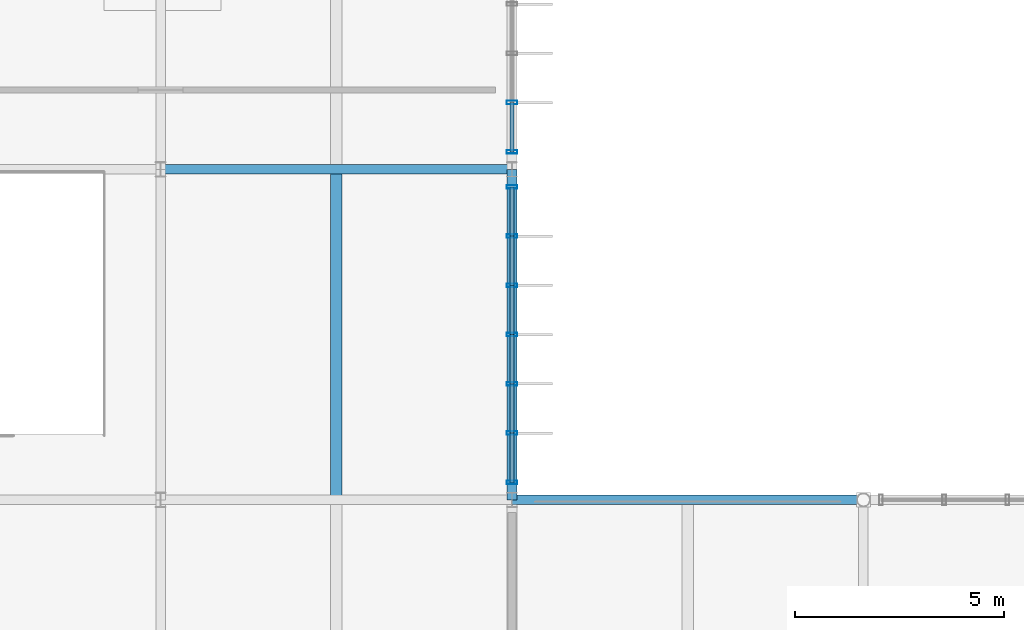
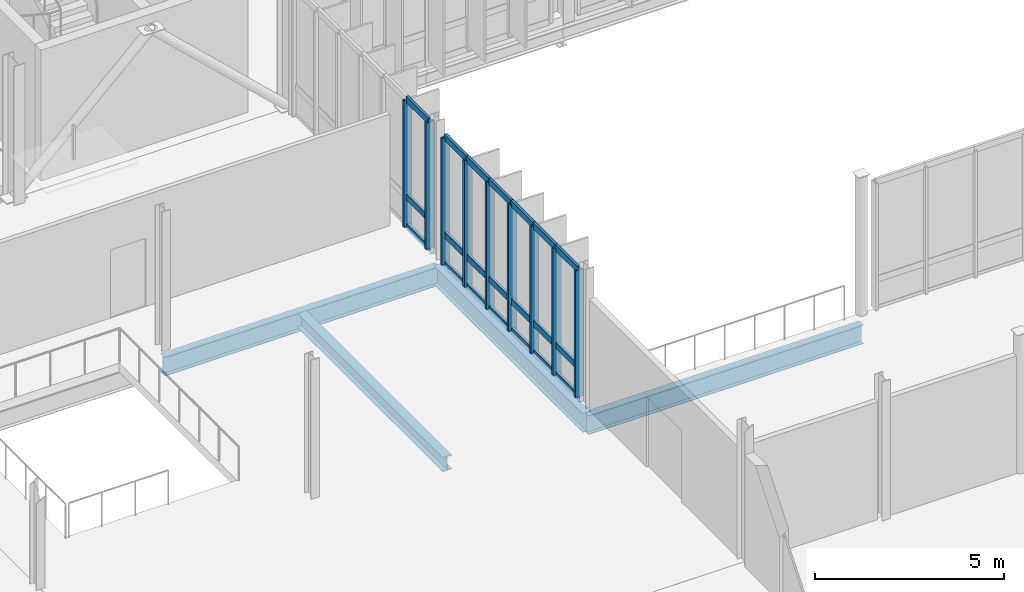
# One storey, part 35 of 139: 30 members, 4 beams, 2 elements without a shape of their own.
"""IFC4 building model written with IfcOpenShell, lengths in metres."""

from ifc_helpers import new_model, si_unit, derived_unit, direction, frame, origin, origin_2d, place, context, subcontext, project, spatial, hollow_rectangle, i_section, extrude, material, layer, layer_set, material_profile, profile_set, type_object, element, aggregate, save


model = new_model("IFC4")

# Units and contexts
model_context = context("Model", 3, precision=1e-05, world=origin(), true_north=direction((0.0, 1.0)))
body_context = subcontext(model_context, "Body", "Model", "MODEL_VIEW")
ifc_project = project(units=[si_unit("LENGTHUNIT", "METRE"), si_unit("AREAUNIT", "SQUARE_METRE"), si_unit("VOLUMEUNIT", "CUBIC_METRE"), si_unit("PLANEANGLEUNIT", "RADIAN"), si_unit("MASSUNIT", "GRAM", prefix="KILO"), derived_unit("THERMALTRANSMITTANCEUNIT", [(si_unit("MASSUNIT", "GRAM", prefix="KILO"), 1), (si_unit("TIMEUNIT", "SECOND"), -3), (si_unit("THERMODYNAMICTEMPERATUREUNIT", "KELVIN"), -1)])], contexts=[model_context])

# Site, building, storey
site_placement = place(None, origin())
site = spatial("IfcSite", under=ifc_project, at=site_placement, CompositionType="ELEMENT")
building_placement = place(site_placement, origin())
building = spatial("IfcBuilding", under=site, at=building_placement, Name="Makaiwela Harbour Ferry Terminal", CompositionType="ELEMENT")
storey_placement = place(building_placement, frame((0.0, 0.0, 5.10009765625)))
storey = spatial("IfcBuildingStorey", under=building, at=storey_placement, Name="L01", CompositionType="ELEMENT", Elevation=5.10009765625)

# Curtain wall, members
ifc_material_1 = material(Name="Marine anodised aluminium 6063-T6", Category="aluminium")
ifc_layer = layer(ifc_material_1, 0.199951171875)
ifc_layer_set = layer_set([ifc_layer], Name="Marine anodised aluminium 6063-T6")
curtain_wall_type = type_object("IfcCurtainWallType", Name="ENV-CW-13", PredefinedType="USERDEFINED", material=ifc_layer_set)
curtain_wall_1_placement = place(storey_placement, origin())
curtain_wall_1 = element("IfcCurtainWall", 1, at=curtain_wall_1_placement, inside=storey, type_object=curtain_wall_type, Name="Unitised Curtain Wall CWA-109", ObjectType="UNITIZED CURTAIN WALL", PredefinedType="USERDEFINED")
ifc_material_profile_1 = material_profile(ifc_material_1, hollow_rectangle(XDim=0.0849609375, YDim=0.25, WallThickness=0.0048828125, at=origin_2d()), Name="CWM-250X85")
ifc_profile_set_1 = profile_set([ifc_material_profile_1], Name="Marine anodised aluminium 6063-T6")
member_type_1 = type_object("IfcMemberType", Name="CW-MUL-250", PredefinedType="MULLION", material=ifc_profile_set_1)
member_1_placement = place(storey_placement, frame((71.39990234375, 41.080078125, 0.0), z_axis=(0.0, 0.0, 1.0), x_axis=(0.0, 1.0, 0.0)))
member_1 = element("IfcMember", 2, at=member_1_placement, type_object=member_type_1, Name="Curtain Wall Mullion CWA-109-1", PredefinedType="MULLION", context=body_context, shape_type="SweptSolid", body=[
    extrude(hollow_rectangle(XDim=0.0849609375, YDim=0.25, WallThickness=0.0048828125, at=origin_2d()), origin(), (0.0, 0.0, 1.0), 4.099853515625),
])
member_2_placement = place(storey_placement, frame((71.39990234375, 39.9033203125, 0.0), z_axis=(0.0, 0.0, 1.0), x_axis=(0.0, 1.0, 0.0)))
member_2 = element("IfcMember", 3, at=member_2_placement, type_object=member_type_1, Name="Curtain Wall Mullion CWA-109-2", PredefinedType="MULLION", context=body_context, shape_type="SweptSolid", body=[
    extrude(hollow_rectangle(XDim=0.0849609375, YDim=0.25, WallThickness=0.0048828125, at=origin_2d()), origin(), (0.0, 0.0, 1.0), 4.099853515625),
])
member_3_placement = place(storey_placement, frame((71.39990234375, 38.726806640625, 0.0), z_axis=(0.0, 0.0, 1.0), x_axis=(0.0, 1.0, 0.0)))
member_3 = element("IfcMember", 4, at=member_3_placement, type_object=member_type_1, Name="Curtain Wall Mullion CWA-109-3", PredefinedType="MULLION", context=body_context, shape_type="SweptSolid", body=[
    extrude(hollow_rectangle(XDim=0.0849609375, YDim=0.25, WallThickness=0.0048828125, at=origin_2d()), origin(), (0.0, 0.0, 1.0), 4.099853515625),
])
member_4_placement = place(storey_placement, frame((71.39990234375, 37.550048828125, 0.0), z_axis=(0.0, 0.0, 1.0), x_axis=(0.0, 1.0, 0.0)))
member_4 = element("IfcMember", 5, at=member_4_placement, type_object=member_type_1, Name="Curtain Wall Mullion CWA-109-4", PredefinedType="MULLION", context=body_context, shape_type="SweptSolid", body=[
    extrude(hollow_rectangle(XDim=0.0849609375, YDim=0.25, WallThickness=0.0048828125, at=origin_2d()), origin(), (0.0, 0.0, 1.0), 4.099853515625),
])
member_5_placement = place(storey_placement, frame((71.39990234375, 36.373291015625, 0.0), z_axis=(0.0, 0.0, 1.0), x_axis=(0.0, 1.0, 0.0)))
member_5 = element("IfcMember", 6, at=member_5_placement, type_object=member_type_1, Name="Curtain Wall Mullion CWA-109-5", PredefinedType="MULLION", context=body_context, shape_type="SweptSolid", body=[
    extrude(hollow_rectangle(XDim=0.0849609375, YDim=0.25, WallThickness=0.0048828125, at=origin_2d()), origin(), (0.0, 0.0, 1.0), 4.099853515625),
])
member_6_placement = place(storey_placement, frame((71.39990234375, 35.19677734375, 0.0), z_axis=(0.0, 0.0, 1.0), x_axis=(0.0, 1.0, 0.0)))
member_6 = element("IfcMember", 7, at=member_6_placement, type_object=member_type_1, Name="Curtain Wall Mullion CWA-109-6", PredefinedType="MULLION", context=body_context, shape_type="SweptSolid", body=[
    extrude(hollow_rectangle(XDim=0.0849609375, YDim=0.25, WallThickness=0.0048828125, at=origin_2d()), origin(), (0.0, 0.0, 1.0), 4.099853515625),
])
member_7_placement = place(storey_placement, frame((71.39990234375, 34.02001953125, 0.0), z_axis=(0.0, 0.0, 1.0), x_axis=(0.0, 1.0, 0.0)))
member_7 = element("IfcMember", 8, at=member_7_placement, type_object=member_type_1, Name="Curtain Wall Mullion CWA-109-7", PredefinedType="MULLION", context=body_context, shape_type="SweptSolid", body=[
    extrude(hollow_rectangle(XDim=0.0849609375, YDim=0.25, WallThickness=0.0048828125, at=origin_2d()), origin(), (0.0, 0.0, 1.0), 4.099853515625),
])

curtain_wall_2_placement = place(storey_placement, origin())
curtain_wall_2 = element("IfcCurtainWall", 9, at=curtain_wall_2_placement, inside=storey, type_object=curtain_wall_type, Name="Unitised Curtain Wall CWA-112", ObjectType="UNITIZED CURTAIN WALL", PredefinedType="USERDEFINED")
member_8_placement = place(storey_placement, frame((71.39990234375, 43.0966796875, 0.0), z_axis=(0.0, 0.0, 1.0), x_axis=(0.0, 1.0, 0.0)))
member_8 = element("IfcMember", 10, at=member_8_placement, type_object=member_type_1, Name="Curtain Wall Mullion CWA-112-6", PredefinedType="MULLION", context=body_context, shape_type="SweptSolid", body=[
    extrude(hollow_rectangle(XDim=0.0849609375, YDim=0.25, WallThickness=0.0048828125, at=origin_2d()), origin(), (0.0, 0.0, 1.0), 4.099853515625),
])
member_9_placement = place(storey_placement, frame((71.39990234375, 41.919921875, 0.0), z_axis=(0.0, 0.0, 1.0), x_axis=(0.0, 1.0, 0.0)))
member_9 = element("IfcMember", 11, at=member_9_placement, type_object=member_type_1, Name="Curtain Wall Mullion CWA-112-7", PredefinedType="MULLION", context=body_context, shape_type="SweptSolid", body=[
    extrude(hollow_rectangle(XDim=0.0849609375, YDim=0.25, WallThickness=0.0048828125, at=origin_2d()), origin(), (0.0, 0.0, 1.0), 4.099853515625),
])

# Member
ifc_material_profile_2 = material_profile(ifc_material_1, hollow_rectangle(XDim=0.0849609375, YDim=0.199951171875, WallThickness=0.0048828125, at=origin_2d()), Name="CWT-200X85")
ifc_profile_set_2 = profile_set([ifc_material_profile_2], Name="Marine anodised aluminium 6063-T6")
member_type_2 = type_object("IfcMemberType", Name="CW-TRN-200", PredefinedType="USERDEFINED", material=ifc_profile_set_2)
member_10_placement = place(storey_placement, frame((71.39990234375, 41.080078125, 0.0), z_axis=(0.0, -1.0, 0.0), x_axis=(1.0, 0.0, 0.0)))
member_10 = element("IfcMember", 12, at=member_10_placement, type_object=member_type_2, Name="Curtain Wall Transom CWA-109-1-1", ObjectType="TRANSOM", PredefinedType="USERDEFINED", context=body_context, shape_type="SweptSolid", body=[
    extrude(hollow_rectangle(XDim=0.0849609375, YDim=0.199951171875, WallThickness=0.0048828125, at=origin_2d()), origin(), (0.0, 0.0, 1.0), 1.1767578125),
])

member_11_placement = place(storey_placement, frame((71.39990234375, 41.080078125, 0.949951171875), z_axis=(0.0, -1.0, 0.0), x_axis=(1.0, 0.0, 0.0)))
member_11 = element("IfcMember", 13, at=member_11_placement, type_object=member_type_2, Name="Curtain Wall Transom CWA-109-1-2", ObjectType="TRANSOM", PredefinedType="USERDEFINED", context=body_context, shape_type="SweptSolid", body=[
    extrude(hollow_rectangle(XDim=0.0849609375, YDim=0.199951171875, WallThickness=0.0048828125, at=origin_2d()), origin(), (0.0, 0.0, 1.0), 1.1767578125),
])

member_12_placement = place(storey_placement, frame((71.39990234375, 41.080078125, 4.099853515625), z_axis=(0.0, -1.0, 0.0), x_axis=(1.0, 0.0, 0.0)))
member_12 = element("IfcMember", 14, at=member_12_placement, type_object=member_type_2, Name="Curtain Wall Transom CWA-109-1-3", ObjectType="TRANSOM", PredefinedType="USERDEFINED", context=body_context, shape_type="SweptSolid", body=[
    extrude(hollow_rectangle(XDim=0.0849609375, YDim=0.199951171875, WallThickness=0.0048828125, at=origin_2d()), origin(), (0.0, 0.0, 1.0), 1.1767578125),
])

member_13_placement = place(storey_placement, frame((71.39990234375, 39.9033203125, 0.0), z_axis=(0.0, -1.0, 0.0), x_axis=(1.0, 0.0, 0.0)))
member_13 = element("IfcMember", 15, at=member_13_placement, type_object=member_type_2, Name="Curtain Wall Transom CWA-109-2-1", ObjectType="TRANSOM", PredefinedType="USERDEFINED", context=body_context, shape_type="SweptSolid", body=[
    extrude(hollow_rectangle(XDim=0.0849609375, YDim=0.199951171875, WallThickness=0.0048828125, at=origin_2d()), origin(), (0.0, 0.0, 1.0), 1.176513671875),
])

member_14_placement = place(storey_placement, frame((71.39990234375, 39.9033203125, 0.949951171875), z_axis=(0.0, -1.0, 0.0), x_axis=(1.0, 0.0, 0.0)))
member_14 = element("IfcMember", 16, at=member_14_placement, type_object=member_type_2, Name="Curtain Wall Transom CWA-109-2-2", ObjectType="TRANSOM", PredefinedType="USERDEFINED", context=body_context, shape_type="SweptSolid", body=[
    extrude(hollow_rectangle(XDim=0.0849609375, YDim=0.199951171875, WallThickness=0.0048828125, at=origin_2d()), origin(), (0.0, 0.0, 1.0), 1.176513671875),
])

member_15_placement = place(storey_placement, frame((71.39990234375, 39.9033203125, 4.099853515625), z_axis=(0.0, -1.0, 0.0), x_axis=(1.0, 0.0, 0.0)))
member_15 = element("IfcMember", 17, at=member_15_placement, type_object=member_type_2, Name="Curtain Wall Transom CWA-109-2-3", ObjectType="TRANSOM", PredefinedType="USERDEFINED", context=body_context, shape_type="SweptSolid", body=[
    extrude(hollow_rectangle(XDim=0.0849609375, YDim=0.199951171875, WallThickness=0.0048828125, at=origin_2d()), origin(), (0.0, 0.0, 1.0), 1.176513671875),
])

member_16_placement = place(storey_placement, frame((71.39990234375, 38.726806640625, 0.0), z_axis=(0.0, -1.0, 0.0), x_axis=(1.0, 0.0, 0.0)))
member_16 = element("IfcMember", 18, at=member_16_placement, type_object=member_type_2, Name="Curtain Wall Transom CWA-109-3-1", ObjectType="TRANSOM", PredefinedType="USERDEFINED", context=body_context, shape_type="SweptSolid", body=[
    extrude(hollow_rectangle(XDim=0.0849609375, YDim=0.199951171875, WallThickness=0.0048828125, at=origin_2d()), origin(), (0.0, 0.0, 1.0), 1.1767578125),
])

member_17_placement = place(storey_placement, frame((71.39990234375, 38.726806640625, 0.949951171875), z_axis=(0.0, -1.0, 0.0), x_axis=(1.0, 0.0, 0.0)))
member_17 = element("IfcMember", 19, at=member_17_placement, type_object=member_type_2, Name="Curtain Wall Transom CWA-109-3-2", ObjectType="TRANSOM", PredefinedType="USERDEFINED", context=body_context, shape_type="SweptSolid", body=[
    extrude(hollow_rectangle(XDim=0.0849609375, YDim=0.199951171875, WallThickness=0.0048828125, at=origin_2d()), origin(), (0.0, 0.0, 1.0), 1.1767578125),
])

member_18_placement = place(storey_placement, frame((71.39990234375, 38.726806640625, 4.099853515625), z_axis=(0.0, -1.0, 0.0), x_axis=(1.0, 0.0, 0.0)))
member_18 = element("IfcMember", 20, at=member_18_placement, type_object=member_type_2, Name="Curtain Wall Transom CWA-109-3-3", ObjectType="TRANSOM", PredefinedType="USERDEFINED", context=body_context, shape_type="SweptSolid", body=[
    extrude(hollow_rectangle(XDim=0.0849609375, YDim=0.199951171875, WallThickness=0.0048828125, at=origin_2d()), origin(), (0.0, 0.0, 1.0), 1.1767578125),
])

member_19_placement = place(storey_placement, frame((71.39990234375, 37.550048828125, 0.0), z_axis=(0.0, -1.0, 0.0), x_axis=(1.0, 0.0, 0.0)))
member_19 = element("IfcMember", 21, at=member_19_placement, type_object=member_type_2, Name="Curtain Wall Transom CWA-109-4-1", ObjectType="TRANSOM", PredefinedType="USERDEFINED", context=body_context, shape_type="SweptSolid", body=[
    extrude(hollow_rectangle(XDim=0.0849609375, YDim=0.199951171875, WallThickness=0.0048828125, at=origin_2d()), origin(), (0.0, 0.0, 1.0), 1.1767578125),
])

member_20_placement = place(storey_placement, frame((71.39990234375, 37.550048828125, 0.949951171875), z_axis=(0.0, -1.0, 0.0), x_axis=(1.0, 0.0, 0.0)))
member_20 = element("IfcMember", 22, at=member_20_placement, type_object=member_type_2, Name="Curtain Wall Transom CWA-109-4-2", ObjectType="TRANSOM", PredefinedType="USERDEFINED", context=body_context, shape_type="SweptSolid", body=[
    extrude(hollow_rectangle(XDim=0.0849609375, YDim=0.199951171875, WallThickness=0.0048828125, at=origin_2d()), origin(), (0.0, 0.0, 1.0), 1.1767578125),
])

member_21_placement = place(storey_placement, frame((71.39990234375, 37.550048828125, 4.099853515625), z_axis=(0.0, -1.0, 0.0), x_axis=(1.0, 0.0, 0.0)))
member_21 = element("IfcMember", 23, at=member_21_placement, type_object=member_type_2, Name="Curtain Wall Transom CWA-109-4-3", ObjectType="TRANSOM", PredefinedType="USERDEFINED", context=body_context, shape_type="SweptSolid", body=[
    extrude(hollow_rectangle(XDim=0.0849609375, YDim=0.199951171875, WallThickness=0.0048828125, at=origin_2d()), origin(), (0.0, 0.0, 1.0), 1.1767578125),
])

member_22_placement = place(storey_placement, frame((71.39990234375, 36.373291015625, 0.0), z_axis=(0.0, -1.0, 0.0), x_axis=(1.0, 0.0, 0.0)))
member_22 = element("IfcMember", 24, at=member_22_placement, type_object=member_type_2, Name="Curtain Wall Transom CWA-109-5-1", ObjectType="TRANSOM", PredefinedType="USERDEFINED", context=body_context, shape_type="SweptSolid", body=[
    extrude(hollow_rectangle(XDim=0.0849609375, YDim=0.199951171875, WallThickness=0.0048828125, at=origin_2d()), origin(), (0.0, 0.0, 1.0), 1.176513671875),
])

member_23_placement = place(storey_placement, frame((71.39990234375, 36.373291015625, 0.949951171875), z_axis=(0.0, -1.0, 0.0), x_axis=(1.0, 0.0, 0.0)))
member_23 = element("IfcMember", 25, at=member_23_placement, type_object=member_type_2, Name="Curtain Wall Transom CWA-109-5-2", ObjectType="TRANSOM", PredefinedType="USERDEFINED", context=body_context, shape_type="SweptSolid", body=[
    extrude(hollow_rectangle(XDim=0.0849609375, YDim=0.199951171875, WallThickness=0.0048828125, at=origin_2d()), origin(), (0.0, 0.0, 1.0), 1.176513671875),
])

member_24_placement = place(storey_placement, frame((71.39990234375, 36.373291015625, 4.099853515625), z_axis=(0.0, -1.0, 0.0), x_axis=(1.0, 0.0, 0.0)))
member_24 = element("IfcMember", 26, at=member_24_placement, type_object=member_type_2, Name="Curtain Wall Transom CWA-109-5-3", ObjectType="TRANSOM", PredefinedType="USERDEFINED", context=body_context, shape_type="SweptSolid", body=[
    extrude(hollow_rectangle(XDim=0.0849609375, YDim=0.199951171875, WallThickness=0.0048828125, at=origin_2d()), origin(), (0.0, 0.0, 1.0), 1.176513671875),
])

member_25_placement = place(storey_placement, frame((71.39990234375, 35.19677734375, 0.0), z_axis=(0.0, -1.0, 0.0), x_axis=(1.0, 0.0, 0.0)))
member_25 = element("IfcMember", 27, at=member_25_placement, type_object=member_type_2, Name="Curtain Wall Transom CWA-109-6-1", ObjectType="TRANSOM", PredefinedType="USERDEFINED", context=body_context, shape_type="SweptSolid", body=[
    extrude(hollow_rectangle(XDim=0.0849609375, YDim=0.199951171875, WallThickness=0.0048828125, at=origin_2d()), origin(), (0.0, 0.0, 1.0), 1.1767578125),
])

member_26_placement = place(storey_placement, frame((71.39990234375, 35.19677734375, 0.949951171875), z_axis=(0.0, -1.0, 0.0), x_axis=(1.0, 0.0, 0.0)))
member_26 = element("IfcMember", 28, at=member_26_placement, type_object=member_type_2, Name="Curtain Wall Transom CWA-109-6-2", ObjectType="TRANSOM", PredefinedType="USERDEFINED", context=body_context, shape_type="SweptSolid", body=[
    extrude(hollow_rectangle(XDim=0.0849609375, YDim=0.199951171875, WallThickness=0.0048828125, at=origin_2d()), origin(), (0.0, 0.0, 1.0), 1.1767578125),
])

member_27_placement = place(storey_placement, frame((71.39990234375, 35.19677734375, 4.099853515625), z_axis=(0.0, -1.0, 0.0), x_axis=(1.0, 0.0, 0.0)))
member_27 = element("IfcMember", 29, at=member_27_placement, type_object=member_type_2, Name="Curtain Wall Transom CWA-109-6-3", ObjectType="TRANSOM", PredefinedType="USERDEFINED", context=body_context, shape_type="SweptSolid", body=[
    extrude(hollow_rectangle(XDim=0.0849609375, YDim=0.199951171875, WallThickness=0.0048828125, at=origin_2d()), origin(), (0.0, 0.0, 1.0), 1.1767578125),
])

aggregate(curtain_wall_1, [member_1, member_2, member_3, member_4, member_5, member_6, member_7, member_10, member_11, member_12, member_13, member_14, member_15, member_16, member_17, member_18, member_19, member_20, member_21, member_22, member_23, member_24, member_25, member_26, member_27])

member_28_placement = place(storey_placement, frame((71.39990234375, 43.0966796875, 0.0), z_axis=(0.0, -1.0, 0.0), x_axis=(1.0, 0.0, 0.0)))
member_28 = element("IfcMember", 30, at=member_28_placement, type_object=member_type_2, Name="Curtain Wall Transom CWA-112-6-1", ObjectType="TRANSOM", PredefinedType="USERDEFINED", context=body_context, shape_type="SweptSolid", body=[
    extrude(hollow_rectangle(XDim=0.0849609375, YDim=0.199951171875, WallThickness=0.0048828125, at=origin_2d()), origin(), (0.0, 0.0, 1.0), 1.1767578125),
])

member_29_placement = place(storey_placement, frame((71.39990234375, 43.0966796875, 0.949951171875), z_axis=(0.0, -1.0, 0.0), x_axis=(1.0, 0.0, 0.0)))
member_29 = element("IfcMember", 31, at=member_29_placement, type_object=member_type_2, Name="Curtain Wall Transom CWA-112-6-2", ObjectType="TRANSOM", PredefinedType="USERDEFINED", context=body_context, shape_type="SweptSolid", body=[
    extrude(hollow_rectangle(XDim=0.0849609375, YDim=0.199951171875, WallThickness=0.0048828125, at=origin_2d()), origin(), (0.0, 0.0, 1.0), 1.1767578125),
])

member_30_placement = place(storey_placement, frame((71.39990234375, 43.0966796875, 4.099853515625), z_axis=(0.0, -1.0, 0.0), x_axis=(1.0, 0.0, 0.0)))
member_30 = element("IfcMember", 32, at=member_30_placement, type_object=member_type_2, Name="Curtain Wall Transom CWA-112-6-3", ObjectType="TRANSOM", PredefinedType="USERDEFINED", context=body_context, shape_type="SweptSolid", body=[
    extrude(hollow_rectangle(XDim=0.0849609375, YDim=0.199951171875, WallThickness=0.0048828125, at=origin_2d()), origin(), (0.0, 0.0, 1.0), 1.1767578125),
])

aggregate(curtain_wall_2, [member_8, member_9, member_28, member_29, member_30])

# Beams
ifc_material_2 = material(Name="Steel ASTM A992 Grade 50", Category="steel")
ifc_material_profile_3 = material_profile(ifc_material_2, i_section(OverallWidth=0.280029296875, OverallDepth=0.462890625, WebThickness=0.0107421875, FlangeThickness=0.017333984375, at=origin_2d()), Name="W18X76")
ifc_profile_set_3 = profile_set([ifc_material_profile_3], Name="Steel ASTM A992 Grade 50")
beam_type_1 = type_object("IfcBeamType", Name="STR-BM-W18X76", PredefinedType="BEAM", material=ifc_profile_set_3)
beam_1_placement = place(storey_placement, frame((67.199951171875, 33.696533203125, -0.51171875), z_axis=(0.0, 1.0, 0.0), x_axis=(-1.0, 0.0, 0.0)))
element("IfcBeam", 33, at=beam_1_placement, inside=storey, type_object=beam_type_1, Name="Secondary floor beam 1079", PredefinedType="BEAM", context=body_context, shape_type="SweptSolid", body=[
    extrude(i_section(OverallWidth=0.280029296875, OverallDepth=0.462890625, WebThickness=0.0107421875, FlangeThickness=0.017333984375, at=origin_2d()), origin(), (0.0, 0.0, 1.0), 7.70703125),
])
ifc_material_profile_4 = material_profile(ifc_material_2, i_section(OverallWidth=0.22900390625, OverallDepth=0.612060546875, WebThickness=0.011962890625, FlangeThickness=0.01953125, at=origin_2d()), Name="W24X84")
ifc_profile_set_4 = profile_set([ifc_material_profile_4], Name="Steel ASTM A992 Grade 50")
beam_type_2 = type_object("IfcBeamType", Name="STR-GRD-W24X84", PredefinedType="USERDEFINED", material=ifc_profile_set_4)
beam_2_placement = place(storey_placement, frame((71.39990234375, 33.60009765625, -0.6259765625), z_axis=(1.0, 0.0, 0.0), x_axis=(0.0, 1.0, 0.0)))
element("IfcBeam", 34, at=beam_2_placement, inside=storey, type_object=beam_type_2, Name="Primary X girder 784", ObjectType="GIRDER", PredefinedType="USERDEFINED", context=body_context, shape_type="SweptSolid", body=[
    extrude(i_section(OverallWidth=0.22900390625, OverallDepth=0.612060546875, WebThickness=0.011962890625, FlangeThickness=0.01953125, at=origin_2d()), origin(), (0.0, 0.0, 1.0), 8.400146484375),
])
beam_3_placement = place(storey_placement, frame((63.0, 41.5, -0.586181640625), z_axis=(1.0, 0.0, 0.0), x_axis=(0.0, 1.0, 0.0)))
element("IfcBeam", 35, at=beam_3_placement, inside=storey, type_object=beam_type_2, Name="Primary X girder 800", ObjectType="GIRDER", PredefinedType="USERDEFINED", context=body_context, shape_type="SweptSolid", body=[
    extrude(i_section(OverallWidth=0.22900390625, OverallDepth=0.612060546875, WebThickness=0.011962890625, FlangeThickness=0.01953125, at=origin_2d()), origin(), (0.0, 0.0, 1.0), 8.39990234375),
])
beam_4_placement = place(storey_placement, frame((71.39990234375, 33.60009765625, -0.586181640625), z_axis=(0.0, 1.0, 0.0), x_axis=(-1.0, 0.0, 0.0)))
element("IfcBeam", 36, at=beam_4_placement, inside=storey, type_object=beam_type_2, Name="Primary Y girder 938", ObjectType="GIRDER", PredefinedType="USERDEFINED", context=body_context, shape_type="SweptSolid", body=[
    extrude(i_section(OverallWidth=0.22900390625, OverallDepth=0.612060546875, WebThickness=0.011962890625, FlangeThickness=0.01953125, at=origin_2d()), origin(), (0.0, 0.0, 1.0), 7.89990234375),
])

save(model, "model.ifc")
